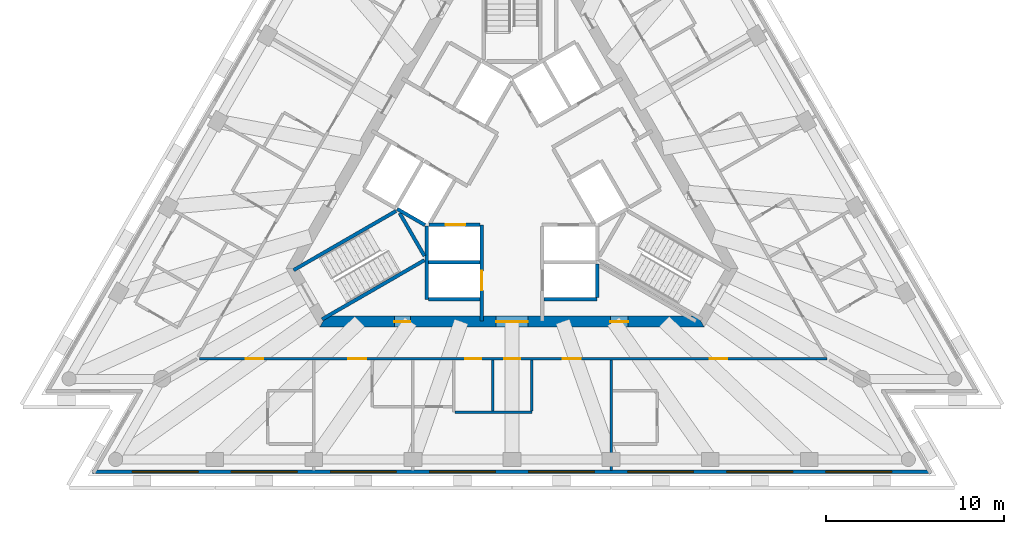
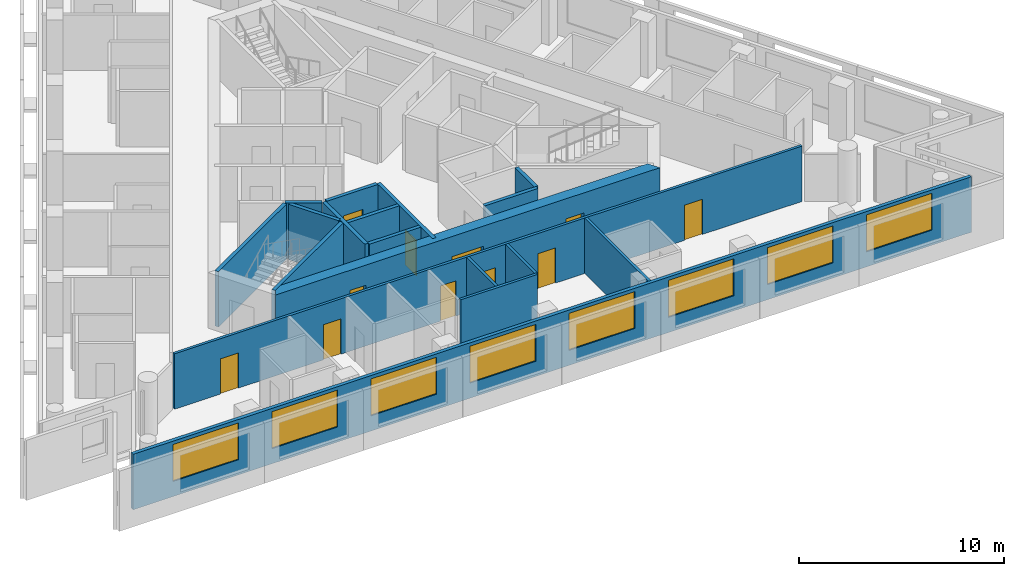
# One storey, part 3 of 10: 18 walls, 11 doors, 8 windows, 19 openings.
"""IFC4 building model written with IfcOpenShell, lengths in metres."""

from ifc_helpers import new_model, si_unit, direction, frame, frame_2d, origin, place, context, subcontext, project, spatial, polyline, rectangle, outline, extrude, material, layer, layer_set, layer_usage, type_object, element, fill, save


model = new_model("IFC4")

# Units and contexts
model_context = context("Model", 3, precision=1e-05, world=origin(), true_north=direction((0.0, 1.0)))
body_context = subcontext(model_context, "Body", "Model", "MODEL_VIEW")
ifc_project = project(units=[si_unit("LENGTHUNIT", "METRE"), si_unit("AREAUNIT", "SQUARE_METRE"), si_unit("VOLUMEUNIT", "CUBIC_METRE"), si_unit("PLANEANGLEUNIT", "RADIAN"), si_unit("MASSUNIT", "GRAM", prefix="KILO")], contexts=[model_context])

# Site, building, storey
site_placement = place(None, origin())
site = spatial("IfcSite", under=ifc_project, at=site_placement, CompositionType="ELEMENT")
building_placement = place(site_placement, origin())
building = spatial("IfcBuilding", under=site, at=building_placement, Name="Triada Interchange Tower", CompositionType="ELEMENT")
storey_placement = place(building_placement, frame((0.0, 0.0, 271.89990234375)))
storey = spatial("IfcBuildingStorey", under=building, at=storey_placement, Name="L63", CompositionType="ELEMENT", Elevation=271.89990234375)

# Walls
ifc_material_1 = material(Name="Concrete C30/37", Category="concrete")
ifc_layer_1 = layer(ifc_material_1, 0.199951171875)
ifc_layer_set_1 = layer_set([ifc_layer_1], Name="CORE WALL 200 EI 120")
wall_type_1 = type_object("IfcWallType", Name="CORE WALL 200 EI 120", PredefinedType="SOLIDWALL", material=ifc_layer_set_1)
wall_1_placement = place(storey_placement, frame((-4.800048828125, -6.89990234375, 0.0), z_axis=(0.0, 0.0, 1.0), x_axis=(0.0, 1.0, 0.0)))
element("IfcWall", 1, at=wall_1_placement, inside=storey, type_object=wall_type_1, Name="Wall L62 68", PredefinedType="SOLIDWALL", context=body_context, shape_type="SweptSolid", body=[
    extrude(rectangle(XDim=4.130859375, YDim=0.199951171875, at=frame_2d((2.0654296875, 0.0))), origin(), (0.0, 0.0, 1.0), 3.300048828125),
])
wall_2_placement = place(storey_placement, frame((-4.699951171875, -6.89990234375, 0.0), z_axis=(0.0, 0.0, 1.0), x_axis=(1.0, 0.0, 0.0)))
element("IfcWall", 2, at=wall_2_placement, inside=storey, type_object=wall_type_1, Name="Wall L62 69", PredefinedType="SOLIDWALL", context=body_context, shape_type="SweptSolid", body=[
    extrude(rectangle(XDim=2.89990234375, YDim=0.199951171875, at=frame_2d((1.449951171875, 0.0))), origin(), (0.0, 0.0, 1.0), 3.300048828125),
])
wall_3_placement = place(storey_placement, frame((1.800048828125, -6.89990234375, 0.0), z_axis=(0.0, 0.0, 1.0), x_axis=(1.0, 0.0, 0.0)))
element("IfcWall", 3, at=wall_3_placement, inside=storey, type_object=wall_type_1, Name="Wall L62 70", PredefinedType="SOLIDWALL", context=body_context, shape_type="SweptSolid", body=[
    extrude(rectangle(XDim=3.0, YDim=0.199951171875, at=frame_2d((1.5, 0.0))), origin(), (0.0, 0.0, 1.0), 3.300048828125),
])
wall_4_placement = place(storey_placement, frame((-4.699951171875, -4.800048828125, 0.0), z_axis=(0.0, 0.0, 1.0), x_axis=(1.0, 0.0, 0.0)))
element("IfcWall", 4, at=wall_4_placement, inside=storey, type_object=wall_type_1, Name="Wall L62 71", PredefinedType="SOLIDWALL", context=body_context, shape_type="SweptSolid", body=[
    extrude(rectangle(XDim=2.89990234375, YDim=0.199951171875, at=frame_2d((1.449951171875, 0.0))), origin(), (0.0, 0.0, 1.0), 3.300048828125),
])

# Wall, opening, door
wall_5_placement = place(storey_placement, frame((-1.699951171875, -8.1298828125, 0.0), z_axis=(0.0, 0.0, 1.0), x_axis=(0.0, 1.0, 0.0)))
wall_5 = element("IfcWall", 5, at=wall_5_placement, inside=storey, type_object=wall_type_1, Name="Wall L62 73", PredefinedType="SOLIDWALL", context=body_context, shape_type="SweptSolid", body=[
    extrude(rectangle(XDim=5.427001953125, YDim=0.199951171875, at=frame_2d((2.71337890625, 0.0))), origin(), (0.0, 0.0, 1.0), 3.300048828125),
])
opening_1_placement = place(wall_5_placement, frame((1.72998046875, 0.0, 0.0)))
opening_1 = element("IfcOpeningElement", 6, at=opening_1_placement, cuts=wall_5, Name="Opening LD-HR4", PredefinedType="OPENING", context=body_context, shape_type="SweptSolid", body=[
    extrude(rectangle(XDim=1.10009765625, YDim=2.10009765625, at=frame_2d((0.550048828125, 1.050048828125))), frame((0.0, 0.10986328125, 0.0), z_axis=(0.0, -1.0, 0.0), x_axis=(1.0, 0.0, 0.0)), (0.0, 0.0, 1.0), 0.219970703125),
])
ifc_material_2 = material(Name="Steel S235 door leaf", Category="steel")
door_type_1 = type_object("IfcDoorType", Name="LIFT LANDING DOOR 1100 EI 120", OperationType="SLIDING_TO_LEFT", PredefinedType="DOOR", material=ifc_material_2)
door_1_placement = place(opening_1_placement, origin())
door_1 = element("IfcDoor", 7, at=door_1_placement, inside=storey, type_object=door_type_1, Name="HR4 landing door L63", OperationType="SLIDING_TO_LEFT", OverallHeight=2.10009765625, OverallWidth=1.10009765625, PredefinedType="DOOR", context=body_context, shape_type="SweptSolid", body=[
    extrude(rectangle(XDim=1.10009765625, YDim=2.10009765625, at=frame_2d((0.550048828125, 1.050048828125))), frame((0.0, 0.02490234375, 0.0), z_axis=(0.0, -1.0, 0.0), x_axis=(1.0, 0.0, 0.0)), (0.0, 0.0, 1.0), 0.050048828125),
])
fill(opening_1, door_1)

wall_6_placement = place(storey_placement, frame((-4.676025390625, -2.699951171875, 0.0), z_axis=(0.0, 0.0, 1.0), x_axis=(1.0, 0.0, 0.0)))
wall_6 = element("IfcWall", 8, at=wall_6_placement, inside=storey, type_object=wall_type_1, Name="Wall L62 74", PredefinedType="SOLIDWALL", context=body_context, shape_type="SweptSolid", body=[
    extrude(rectangle(XDim=2.873046875, YDim=0.199951171875, at=frame_2d((1.4365234375, 0.0))), origin(), (0.0, 0.0, 1.0), 3.300048828125),
])
opening_2_placement = place(wall_6_placement, frame((0.93701171875, 0.0, 0.0)))
opening_2 = element("IfcOpeningElement", 9, at=opening_2_placement, cuts=wall_6, Name="Opening LD-HR3", PredefinedType="OPENING", context=body_context, shape_type="SweptSolid", body=[
    extrude(rectangle(XDim=1.10009765625, YDim=2.10009765625, at=frame_2d((0.550048828125, 1.050048828125))), frame((0.0, 0.10986328125, 0.0), z_axis=(0.0, -1.0, 0.0), x_axis=(1.0, 0.0, 0.0)), (0.0, 0.0, 1.0), 0.219970703125),
])
door_2_placement = place(opening_2_placement, origin())
door_2 = element("IfcDoor", 10, at=door_2_placement, inside=storey, type_object=door_type_1, Name="HR3 landing door L63", OperationType="SLIDING_TO_LEFT", OverallHeight=2.10009765625, OverallWidth=1.10009765625, PredefinedType="DOOR", context=body_context, shape_type="SweptSolid", body=[
    extrude(rectangle(XDim=1.10009765625, YDim=2.10009765625, at=frame_2d((0.550048828125, 1.050048828125))), frame((0.0, 0.02490234375, 0.0), z_axis=(0.0, -1.0, 0.0), x_axis=(1.0, 0.0, 0.0)), (0.0, 0.0, 1.0), 0.050048828125),
])
fill(opening_2, door_2)

# Walls
wall_7_placement = place(storey_placement, frame((4.800048828125, -6.800048828125, 0.0), z_axis=(0.0, 0.0, 1.0), x_axis=(0.0, 1.0, 0.0)))
element("IfcWall", 11, at=wall_7_placement, inside=storey, type_object=wall_type_1, Name="Wall L62 81", PredefinedType="SOLIDWALL", context=body_context, shape_type="SweptSolid", body=[
    extrude(rectangle(XDim=1.880126953125, YDim=0.199951171875, at=frame_2d((0.93994140625, 0.0))), origin(), (0.0, 0.0, 1.0), 3.300048828125),
])
ifc_layer_2 = layer(ifc_material_1, 0.199951171875)
ifc_layer_set_2 = layer_set([ifc_layer_2], Name="CORE WALL 200 EI 180")
wall_type_2 = type_object("IfcWallType", Name="CORE WALL 200 EI 180", PredefinedType="SOLIDWALL", material=ifc_layer_set_2)
wall_8_placement = place(storey_placement, frame((-6.469970703125, -1.806884765625, 0.0), z_axis=(0.0, 0.0, 1.0), x_axis=(0.865883195159, -0.500246231712, 0.0)))
element("IfcWall", 12, at=wall_8_placement, inside=storey, type_object=wall_type_2, Name="Shaft wall FF1 L62 100", PredefinedType="SOLIDWALL", context=body_context, shape_type="SweptSolid", body=[
    extrude(rectangle(XDim=1.8154296875, YDim=0.199951171875, at=frame_2d((0.90771484375, 0.0))), origin(), (0.0, 0.0, 1.0), 3.300048828125),
])
ifc_layer_3 = layer(ifc_material_1, 0.199951171875)
ifc_layer_set_3 = layer_set([ifc_layer_3], Name="CORE WALL 200 REI 240")
wall_type_3 = type_object("IfcWallType", Name="CORE WALL 200 REI 240", PredefinedType="SOLIDWALL", material=ifc_layer_set_3)
wall_9_placement = place(storey_placement, frame((-12.301025390625, -5.25390625, 0.0), z_axis=(0.0, 0.0, 1.0), x_axis=(0.866068467981, 0.499925403204, 0.0)))
element("IfcWall", 13, at=wall_9_placement, inside=storey, type_object=wall_type_3, Name="Wall L62 112", PredefinedType="SOLIDWALL", context=body_context, shape_type="SweptSolid", body=[
    extrude(rectangle(XDim=6.66455078125, YDim=0.199951171875, at=frame_2d((3.332275390625, 0.0))), origin(), (0.0, 0.0, 1.0), 3.300048828125),
])
wall_10_placement = place(storey_placement, frame((-6.3291015625, -2.0380859375, 0.0), z_axis=(0.0, 0.0, 1.0), x_axis=(0.500200581029, -0.865909567298, 0.0)))
element("IfcWall", 14, at=wall_10_placement, inside=storey, type_object=wall_type_3, Name="Wall L62 113", PredefinedType="SOLIDWALL", context=body_context, shape_type="SweptSolid", body=[
    extrude(rectangle(XDim=2.799072265625, YDim=0.199951171875, at=frame_2d((1.3994140625, 0.0))), origin(), (0.0, 0.0, 1.0), 3.300048828125),
])
wall_11_placement = place(storey_placement, frame((-10.700927734375, -8.02587890625, 0.0), z_axis=(0.0, 0.0, 1.0), x_axis=(0.866005022404, 0.500035299925, 0.0)))
element("IfcWall", 15, at=wall_11_placement, inside=storey, type_object=wall_type_3, Name="Wall L62 114", PredefinedType="SOLIDWALL", context=body_context, shape_type="SweptSolid", body=[
    extrude(rectangle(XDim=6.6650390625, YDim=0.199951171875, at=frame_2d((3.33251953125, 0.0))), origin(), (0.0, 0.0, 1.0), 3.300048828125),
])

# Wall, openings, doors
ifc_material_3 = material(Name="Concrete C40/50", Category="concrete")
ifc_layer_4 = layer(ifc_material_3, 0.60009765625)
ifc_layer_set_4 = layer_set([ifc_layer_4], Name="Core wall D 600")
wall_type_4 = type_object("IfcWallType", Name="Core wall D 600", PredefinedType="SHEAR", material=ifc_layer_set_4)
wall_12_placement = place(storey_placement, frame((-10.652099609375, -8.14990234375, -0.2998046875), z_axis=(0.0, 0.0, 1.0), x_axis=(1.0, 0.0, 0.0)))
wall_12 = element("IfcWall", 16, at=wall_12_placement, inside=storey, type_object=wall_type_4, Name="Core wall WD04 L63", PredefinedType="SHEAR", context=body_context, shape_type="SweptSolid", body=[
    extrude(outline(polyline([(-0.173095703125, -0.300048828125), (1.795166015625, -0.300048828125), (3.76318359375, -0.300048828125), (5.7314453125, -0.300048828125), (7.69970703125, -0.300048828125), (9.66796875, -0.300048828125), (11.635986328125, -0.300048828125), (13.604248046875, -0.300048828125), (15.572509765625, -0.300048828125), (17.540771484375, -0.300048828125), (19.5087890625, -0.300048828125), (21.47705078125, -0.300048828125), (21.131103515625, 0.300048828125), (19.225830078125, 0.300048828125), (17.320556640625, 0.300048828125), (15.415283203125, 0.300048828125), (13.510009765625, 0.300048828125), (11.604736328125, 0.300048828125), (9.699462890625, 0.300048828125), (7.794189453125, 0.300048828125), (5.888916015625, 0.300048828125), (3.983642578125, 0.300048828125), (2.078369140625, 0.300048828125), (0.173095703125, 0.300048828125), (-0.173095703125, -0.300048828125)])), origin(), (0.0, 0.0, 1.0), 3.599853515625),
])
opening_3_placement = place(wall_12_placement, frame((9.751953125, 0.0, 0.300048828125)))
opening_3 = element("IfcOpeningElement", 17, at=opening_3_placement, cuts=wall_12, Name="Opening D62-47", PredefinedType="OPENING", context=body_context, shape_type="SweptSolid", body=[
    extrude(rectangle(XDim=1.800048828125, YDim=2.10009765625, at=frame_2d((0.89990234375, 1.050048828125))), frame((0.0, 0.31005859375, 0.0), z_axis=(0.0, -1.0, 0.0), x_axis=(1.0, 0.0, 0.0)), (0.0, 0.0, 1.0), 0.6201171875),
])
opening_4_placement = place(wall_12_placement, frame((4.02587890625, 0.0, 0.300048828125)))
opening_4 = element("IfcOpeningElement", 18, at=opening_4_placement, cuts=wall_12, Name="Opening D62-53", PredefinedType="OPENING", context=body_context, shape_type="SweptSolid", body=[
    extrude(rectangle(XDim=0.89990234375, YDim=2.10009765625, at=frame_2d((0.449951171875, 1.050048828125))), frame((0.0, 0.31005859375, 0.0), z_axis=(0.0, -1.0, 0.0), x_axis=(1.0, 0.0, 0.0)), (0.0, 0.0, 1.0), 0.6201171875),
])
opening_5_placement = place(wall_12_placement, frame((16.197998046875, 0.0, 0.300048828125)))
opening_5 = element("IfcOpeningElement", 19, at=opening_5_placement, cuts=wall_12, Name="Opening D62-56", PredefinedType="OPENING", context=body_context, shape_type="SweptSolid", body=[
    extrude(rectangle(XDim=1.0, YDim=2.10009765625, at=frame_2d((0.5, 1.050048828125))), frame((0.0, 0.31005859375, 0.0), z_axis=(0.0, -1.0, 0.0), x_axis=(1.0, 0.0, 0.0)), (0.0, 0.0, 1.0), 0.6201171875),
])
door_type_2 = type_object("IfcDoorType", Name="LOBBY DOOR 1800 EI2 90-C5S200", OperationType="DOUBLE_DOOR_SINGLE_SWING", PredefinedType="DOOR", material=ifc_material_2)
door_3_placement = place(opening_3_placement, origin())
door_3 = element("IfcDoor", 20, at=door_3_placement, inside=storey, type_object=door_type_2, Name="Door D62-47 L63", OperationType="DOUBLE_DOOR_SINGLE_SWING", OverallHeight=2.10009765625, OverallWidth=1.800048828125, PredefinedType="DOOR", context=body_context, shape_type="SweptSolid", body=[
    extrude(rectangle(XDim=1.800048828125, YDim=2.10009765625, at=frame_2d((0.89990234375, 1.050048828125))), frame((0.0, 0.02490234375, 0.0), z_axis=(0.0, -1.0, 0.0), x_axis=(1.0, 0.0, 0.0)), (0.0, 0.0, 1.0), 0.050048828125),
])
fill(opening_3, door_3)
door_type_3 = type_object("IfcDoorType", Name="SERVICE DOOR 1000 EI2 45-C5S200", OperationType="NOTDEFINED", PredefinedType="DOOR", material=ifc_material_2)
door_4_placement = place(opening_5_placement, origin())
door_4 = element("IfcDoor", 21, at=door_4_placement, inside=storey, type_object=door_type_3, Name="Door D62-56 L63", OperationType="SINGLE_SWING_RIGHT", OverallHeight=2.10009765625, OverallWidth=1.0, PredefinedType="DOOR", context=body_context, shape_type="SweptSolid", body=[
    extrude(rectangle(XDim=1.0, YDim=2.10009765625, at=frame_2d((0.5, 1.050048828125))), frame((0.0, 0.02490234375, 0.0), z_axis=(0.0, -1.0, 0.0), x_axis=(1.0, 0.0, 0.0)), (0.0, 0.0, 1.0), 0.050048828125),
])
fill(opening_5, door_4)
door_type_4 = type_object("IfcDoorType", Name="SERVICE DOOR 900 EI2 45-C5S200", OperationType="NOTDEFINED", PredefinedType="DOOR", material=ifc_material_2)
door_5_placement = place(opening_4_placement, origin())
door_5 = element("IfcDoor", 22, at=door_5_placement, inside=storey, type_object=door_type_4, Name="Door D62-53 L63", OperationType="SINGLE_SWING_RIGHT", OverallHeight=2.10009765625, OverallWidth=0.89990234375, PredefinedType="DOOR", context=body_context, shape_type="SweptSolid", body=[
    extrude(rectangle(XDim=0.89990234375, YDim=2.10009765625, at=frame_2d((0.449951171875, 1.050048828125))), frame((0.0, 0.02490234375, 0.0), z_axis=(0.0, -1.0, 0.0), x_axis=(1.0, 0.0, 0.0)), (0.0, 0.0, 1.0), 0.050048828125),
])
fill(opening_4, door_5)

# Wall, openings, windows
ifc_material_4 = material(Name="Cement board")
ifc_layer_5 = layer(ifc_material_4, 0.02001953125, Name="Cement board cladding")
ifc_material_5 = material(Name="Sheathing board")
ifc_layer_6 = layer(ifc_material_5, 0.014892578125, Name="Sheathing board")
ifc_material_6 = material(Name="Mineral wool")
ifc_layer_7 = layer(ifc_material_6, 0.14990234375, Name="Mineral wool between steel studs")
ifc_material_7 = material(Name="Gypsum board")
ifc_layer_8 = layer(ifc_material_7, 0.014892578125, Name="Plasterboard lining")
ifc_layer_set_5 = layer_set([ifc_layer_5, ifc_layer_6, ifc_layer_7, ifc_layer_8], Name="External wall 200")
ifc_layer_usage = layer_usage(ifc_layer_set_5, "AXIS2", "POSITIVE", -0.10009765625)
wall_type_5 = type_object("IfcWallType", Name="External wall 200", PredefinedType="ELEMENTEDWALL", material=ifc_layer_set_5)
wall_13_placement = place(storey_placement, frame((-23.62890625, -16.616943359375, 0.0), z_axis=(0.0, 0.0, 1.0), x_axis=(1.0, 0.0, 0.0)))
wall_13 = element("IfcWall", 23, at=wall_13_placement, inside=storey, type_object=wall_type_5, material=ifc_layer_usage, Name="External wall L63 S", PredefinedType="ELEMENTEDWALL", context=body_context, shape_type="SweptSolid", body=[
    extrude(rectangle(XDim=47.23779296875, YDim=0.199951171875, at=frame_2d((23.618896484375, 0.0))), origin(), (0.0, 0.0, 1.0), 3.300048828125),
])
opening_6_placement = place(wall_13_placement, frame((2.243896484375, 0.0, 0.89990234375)))
opening_6 = element("IfcOpeningElement", 24, at=opening_6_placement, cuts=wall_13, Name="Opening WD11", PredefinedType="OPENING", context=body_context, shape_type="SweptSolid", body=[
    extrude(rectangle(XDim=3.699951171875, YDim=2.199951171875, at=frame_2d((1.85009765625, 1.10009765625))), frame((0.0, 0.10986328125, 0.0), z_axis=(0.0, -1.0, 0.0), x_axis=(1.0, 0.0, 0.0)), (0.0, 0.0, 1.0), 0.219970703125),
])
opening_7_placement = place(wall_13_placement, frame((7.824951171875, 0.0, 0.89990234375)))
opening_7 = element("IfcOpeningElement", 25, at=opening_7_placement, cuts=wall_13, Name="Opening WD12", PredefinedType="OPENING", context=body_context, shape_type="SweptSolid", body=[
    extrude(rectangle(XDim=3.699951171875, YDim=2.199951171875, at=frame_2d((1.85009765625, 1.10009765625))), frame((0.0, 0.10986328125, 0.0), z_axis=(0.0, -1.0, 0.0), x_axis=(1.0, 0.0, 0.0)), (0.0, 0.0, 1.0), 0.219970703125),
])
opening_8_placement = place(wall_13_placement, frame((13.406982421875, 0.0, 0.89990234375)))
opening_8 = element("IfcOpeningElement", 26, at=opening_8_placement, cuts=wall_13, Name="Opening WD13", PredefinedType="OPENING", context=body_context, shape_type="SweptSolid", body=[
    extrude(rectangle(XDim=3.699951171875, YDim=2.199951171875, at=frame_2d((1.85009765625, 1.10009765625))), frame((0.0, 0.10986328125, 0.0), z_axis=(0.0, -1.0, 0.0), x_axis=(1.0, 0.0, 0.0)), (0.0, 0.0, 1.0), 0.219970703125),
])
opening_9_placement = place(wall_13_placement, frame((18.988037109375, 0.0, 0.89990234375)))
opening_9 = element("IfcOpeningElement", 27, at=opening_9_placement, cuts=wall_13, Name="Opening WD14", PredefinedType="OPENING", context=body_context, shape_type="SweptSolid", body=[
    extrude(rectangle(XDim=3.699951171875, YDim=2.199951171875, at=frame_2d((1.85009765625, 1.10009765625))), frame((0.0, 0.10986328125, 0.0), z_axis=(0.0, -1.0, 0.0), x_axis=(1.0, 0.0, 0.0)), (0.0, 0.0, 1.0), 0.219970703125),
])
opening_10_placement = place(wall_13_placement, frame((24.570068359375, 0.0, 0.89990234375)))
opening_10 = element("IfcOpeningElement", 28, at=opening_10_placement, cuts=wall_13, Name="Opening WD15", PredefinedType="OPENING", context=body_context, shape_type="SweptSolid", body=[
    extrude(rectangle(XDim=3.699951171875, YDim=2.199951171875, at=frame_2d((1.85009765625, 1.10009765625))), frame((0.0, 0.10986328125, 0.0), z_axis=(0.0, -1.0, 0.0), x_axis=(1.0, 0.0, 0.0)), (0.0, 0.0, 1.0), 0.219970703125),
])
opening_11_placement = place(wall_13_placement, frame((30.15087890625, 0.0, 0.89990234375)))
opening_11 = element("IfcOpeningElement", 29, at=opening_11_placement, cuts=wall_13, Name="Opening WD16", PredefinedType="OPENING", context=body_context, shape_type="SweptSolid", body=[
    extrude(rectangle(XDim=3.699951171875, YDim=2.199951171875, at=frame_2d((1.85009765625, 1.10009765625))), frame((0.0, 0.10986328125, 0.0), z_axis=(0.0, -1.0, 0.0), x_axis=(1.0, 0.0, 0.0)), (0.0, 0.0, 1.0), 0.219970703125),
])
opening_12_placement = place(wall_13_placement, frame((35.73291015625, 0.0, 0.89990234375)))
opening_12 = element("IfcOpeningElement", 30, at=opening_12_placement, cuts=wall_13, Name="Opening WD17", PredefinedType="OPENING", context=body_context, shape_type="SweptSolid", body=[
    extrude(rectangle(XDim=3.699951171875, YDim=2.199951171875, at=frame_2d((1.85009765625, 1.10009765625))), frame((0.0, 0.10986328125, 0.0), z_axis=(0.0, -1.0, 0.0), x_axis=(1.0, 0.0, 0.0)), (0.0, 0.0, 1.0), 0.219970703125),
])
opening_13_placement = place(wall_13_placement, frame((41.31396484375, 0.0, 0.89990234375)))
opening_13 = element("IfcOpeningElement", 31, at=opening_13_placement, cuts=wall_13, Name="Opening WD18", PredefinedType="OPENING", context=body_context, shape_type="SweptSolid", body=[
    extrude(rectangle(XDim=3.699951171875, YDim=2.199951171875, at=frame_2d((1.85009765625, 1.10009765625))), frame((0.0, 0.10986328125, 0.0), z_axis=(0.0, -1.0, 0.0), x_axis=(1.0, 0.0, 0.0)), (0.0, 0.0, 1.0), 0.219970703125),
])
ifc_material_8 = material(Name="Double glazed aluminium window", Category="aluminium")
window_type = type_object("IfcWindowType", Name="Ribbon window D face", PartitioningType="SINGLE_PANEL", PredefinedType="WINDOW", material=ifc_material_8)
window_1_placement = place(opening_6_placement, origin())
window_1 = element("IfcWindow", 32, at=window_1_placement, inside=storey, type_object=window_type, Name="Window L63 S 1", OverallHeight=2.199951171875, OverallWidth=3.699951171875, PartitioningType="SINGLE_PANEL", PredefinedType="WINDOW", context=body_context, shape_type="SweptSolid", body=[
    extrude(rectangle(XDim=3.699951171875, YDim=2.199951171875, at=frame_2d((1.85009765625, 1.10009765625))), frame((0.0, 0.030029296875, 0.0), z_axis=(0.0, -1.0, 0.0), x_axis=(1.0, 0.0, 0.0)), (0.0, 0.0, 1.0), 0.06005859375),
])
fill(opening_6, window_1)
window_2_placement = place(opening_7_placement, origin())
window_2 = element("IfcWindow", 33, at=window_2_placement, inside=storey, type_object=window_type, Name="Window L63 S 2", OverallHeight=2.199951171875, OverallWidth=3.699951171875, PartitioningType="SINGLE_PANEL", PredefinedType="WINDOW", context=body_context, shape_type="SweptSolid", body=[
    extrude(rectangle(XDim=3.699951171875, YDim=2.199951171875, at=frame_2d((1.85009765625, 1.10009765625))), frame((0.0, 0.030029296875, 0.0), z_axis=(0.0, -1.0, 0.0), x_axis=(1.0, 0.0, 0.0)), (0.0, 0.0, 1.0), 0.06005859375),
])
fill(opening_7, window_2)
window_3_placement = place(opening_8_placement, origin())
window_3 = element("IfcWindow", 34, at=window_3_placement, inside=storey, type_object=window_type, Name="Window L63 S 3", OverallHeight=2.199951171875, OverallWidth=3.699951171875, PartitioningType="SINGLE_PANEL", PredefinedType="WINDOW", context=body_context, shape_type="SweptSolid", body=[
    extrude(rectangle(XDim=3.699951171875, YDim=2.199951171875, at=frame_2d((1.85009765625, 1.10009765625))), frame((0.0, 0.030029296875, 0.0), z_axis=(0.0, -1.0, 0.0), x_axis=(1.0, 0.0, 0.0)), (0.0, 0.0, 1.0), 0.06005859375),
])
fill(opening_8, window_3)
window_4_placement = place(opening_9_placement, origin())
window_4 = element("IfcWindow", 35, at=window_4_placement, inside=storey, type_object=window_type, Name="Window L63 S 4", OverallHeight=2.199951171875, OverallWidth=3.699951171875, PartitioningType="SINGLE_PANEL", PredefinedType="WINDOW", context=body_context, shape_type="SweptSolid", body=[
    extrude(rectangle(XDim=3.699951171875, YDim=2.199951171875, at=frame_2d((1.85009765625, 1.10009765625))), frame((0.0, 0.030029296875, 0.0), z_axis=(0.0, -1.0, 0.0), x_axis=(1.0, 0.0, 0.0)), (0.0, 0.0, 1.0), 0.06005859375),
])
fill(opening_9, window_4)
window_5_placement = place(opening_10_placement, origin())
window_5 = element("IfcWindow", 36, at=window_5_placement, inside=storey, type_object=window_type, Name="Window L63 S 5", OverallHeight=2.199951171875, OverallWidth=3.699951171875, PartitioningType="SINGLE_PANEL", PredefinedType="WINDOW", context=body_context, shape_type="SweptSolid", body=[
    extrude(rectangle(XDim=3.699951171875, YDim=2.199951171875, at=frame_2d((1.85009765625, 1.10009765625))), frame((0.0, 0.030029296875, 0.0), z_axis=(0.0, -1.0, 0.0), x_axis=(1.0, 0.0, 0.0)), (0.0, 0.0, 1.0), 0.06005859375),
])
fill(opening_10, window_5)
window_6_placement = place(opening_11_placement, origin())
window_6 = element("IfcWindow", 37, at=window_6_placement, inside=storey, type_object=window_type, Name="Window L63 S 6", OverallHeight=2.199951171875, OverallWidth=3.699951171875, PartitioningType="SINGLE_PANEL", PredefinedType="WINDOW", context=body_context, shape_type="SweptSolid", body=[
    extrude(rectangle(XDim=3.699951171875, YDim=2.199951171875, at=frame_2d((1.85009765625, 1.10009765625))), frame((0.0, 0.030029296875, 0.0), z_axis=(0.0, -1.0, 0.0), x_axis=(1.0, 0.0, 0.0)), (0.0, 0.0, 1.0), 0.06005859375),
])
fill(opening_11, window_6)
window_7_placement = place(opening_12_placement, origin())
window_7 = element("IfcWindow", 38, at=window_7_placement, inside=storey, type_object=window_type, Name="Window L63 S 7", OverallHeight=2.199951171875, OverallWidth=3.699951171875, PartitioningType="SINGLE_PANEL", PredefinedType="WINDOW", context=body_context, shape_type="SweptSolid", body=[
    extrude(rectangle(XDim=3.699951171875, YDim=2.199951171875, at=frame_2d((1.85009765625, 1.10009765625))), frame((0.0, 0.030029296875, 0.0), z_axis=(0.0, -1.0, 0.0), x_axis=(1.0, 0.0, 0.0)), (0.0, 0.0, 1.0), 0.06005859375),
])
fill(opening_12, window_7)
window_8_placement = place(opening_13_placement, origin())
window_8 = element("IfcWindow", 39, at=window_8_placement, inside=storey, type_object=window_type, Name="Window L63 S 8", OverallHeight=2.199951171875, OverallWidth=3.699951171875, PartitioningType="SINGLE_PANEL", PredefinedType="WINDOW", context=body_context, shape_type="SweptSolid", body=[
    extrude(rectangle(XDim=3.699951171875, YDim=2.199951171875, at=frame_2d((1.85009765625, 1.10009765625))), frame((0.0, 0.030029296875, 0.0), z_axis=(0.0, -1.0, 0.0), x_axis=(1.0, 0.0, 0.0)), (0.0, 0.0, 1.0), 0.06005859375),
])
fill(opening_13, window_8)

# Wall, openings, doors
ifc_material_9 = material(Name="Gypsum board partition")
ifc_layer_9 = layer(ifc_material_9, 0.14990234375)
ifc_layer_set_6 = layer_set([ifc_layer_9], Name="PARTITION 150 EI 180")
wall_type_6 = type_object("IfcWallType", Name="PARTITION 150 EI 180", PredefinedType="PARTITIONING", material=ifc_layer_set_6)
wall_14_placement = place(storey_placement, frame((-17.60400390625, -10.25, 0.0), z_axis=(0.0, 0.0, 1.0), x_axis=(1.0, 0.0, 0.0)))
wall_14 = element("IfcWall", 40, at=wall_14_placement, inside=storey, type_object=wall_type_6, Name="Wall L62 5", PredefinedType="PARTITIONING", context=body_context, shape_type="SweptSolid", body=[
    extrude(rectangle(XDim=35.35791015625, YDim=0.14990234375, at=frame_2d((17.678955078125, 0.0))), origin(), (0.0, 0.0, 1.0), 3.300048828125),
])
opening_14_placement = place(wall_14_placement, frame((2.60009765625, 0.0, 0.0)))
opening_14 = element("IfcOpeningElement", 41, at=opening_14_placement, cuts=wall_14, Name="Opening D62-11", PredefinedType="OPENING", context=body_context, shape_type="SweptSolid", body=[
    extrude(rectangle(XDim=1.0, YDim=2.10009765625, at=frame_2d((0.5, 1.050048828125))), frame((0.0, 0.0849609375, 0.0), z_axis=(0.0, -1.0, 0.0), x_axis=(1.0, 0.0, 0.0)), (0.0, 0.0, 1.0), 0.169921875),
])
opening_15_placement = place(wall_14_placement, frame((8.39111328125, 0.0, 0.0)))
opening_15 = element("IfcOpeningElement", 42, at=opening_15_placement, cuts=wall_14, Name="Opening D62-13", PredefinedType="OPENING", context=body_context, shape_type="SweptSolid", body=[
    extrude(rectangle(XDim=1.0, YDim=2.10009765625, at=frame_2d((0.5, 1.050048828125))), frame((0.0, 0.0849609375, 0.0), z_axis=(0.0, -1.0, 0.0), x_axis=(1.0, 0.0, 0.0)), (0.0, 0.0, 1.0), 0.169921875),
])
opening_16_placement = place(wall_14_placement, frame((20.472900390625, 0.0, 0.0)))
opening_16 = element("IfcOpeningElement", 43, at=opening_16_placement, cuts=wall_14, Name="Opening D62-15", PredefinedType="OPENING", context=body_context, shape_type="SweptSolid", body=[
    extrude(rectangle(XDim=1.0, YDim=2.10009765625, at=frame_2d((0.5, 1.050048828125))), frame((0.0, 0.0849609375, 0.0), z_axis=(0.0, -1.0, 0.0), x_axis=(1.0, 0.0, 0.0)), (0.0, 0.0, 1.0), 0.169921875),
])
opening_17_placement = place(wall_14_placement, frame((14.972900390625, 0.0, 0.0)))
opening_17 = element("IfcOpeningElement", 44, at=opening_17_placement, cuts=wall_14, Name="Opening D62-17", PredefinedType="OPENING", context=body_context, shape_type="SweptSolid", body=[
    extrude(rectangle(XDim=0.89990234375, YDim=2.10009765625, at=frame_2d((0.449951171875, 1.050048828125))), frame((0.0, 0.0849609375, 0.0), z_axis=(0.0, -1.0, 0.0), x_axis=(1.0, 0.0, 0.0)), (0.0, 0.0, 1.0), 0.169921875),
])
opening_18_placement = place(wall_14_placement, frame((17.173095703125, 0.0, 0.0)))
opening_18 = element("IfcOpeningElement", 45, at=opening_18_placement, cuts=wall_14, Name="Opening D62-18", PredefinedType="OPENING", context=body_context, shape_type="SweptSolid", body=[
    extrude(rectangle(XDim=0.89990234375, YDim=2.10009765625, at=frame_2d((0.449951171875, 1.050048828125))), frame((0.0, 0.0849609375, 0.0), z_axis=(0.0, -1.0, 0.0), x_axis=(1.0, 0.0, 0.0)), (0.0, 0.0, 1.0), 0.169921875),
])
opening_19_placement = place(wall_14_placement, frame((28.735107421875, 0.0, 0.0)))
opening_19 = element("IfcOpeningElement", 46, at=opening_19_placement, cuts=wall_14, Name="Opening D62-19", PredefinedType="OPENING", context=body_context, shape_type="SweptSolid", body=[
    extrude(rectangle(XDim=1.0, YDim=2.10009765625, at=frame_2d((0.5, 1.050048828125))), frame((0.0, 0.0849609375, 0.0), z_axis=(0.0, -1.0, 0.0), x_axis=(1.0, 0.0, 0.0)), (0.0, 0.0, 1.0), 0.169921875),
])
door_type_5 = type_object("IfcDoorType", Name="GUEST ROOM DOOR 1000 EI2 90-C5S200", OperationType="NOTDEFINED", PredefinedType="DOOR", material=ifc_material_2)
door_6_placement = place(opening_14_placement, origin())
door_6 = element("IfcDoor", 47, at=door_6_placement, inside=storey, type_object=door_type_5, Name="Door D62-11 L63", OperationType="SINGLE_SWING_RIGHT", OverallHeight=2.10009765625, OverallWidth=1.0, PredefinedType="DOOR", context=body_context, shape_type="SweptSolid", body=[
    extrude(rectangle(XDim=1.0, YDim=2.10009765625, at=frame_2d((0.5, 1.050048828125))), frame((0.0, 0.02490234375, 0.0), z_axis=(0.0, -1.0, 0.0), x_axis=(1.0, 0.0, 0.0)), (0.0, 0.0, 1.0), 0.050048828125),
])
fill(opening_14, door_6)
door_7_placement = place(opening_15_placement, origin())
door_7 = element("IfcDoor", 48, at=door_7_placement, inside=storey, type_object=door_type_5, Name="Door D62-13 L63", OperationType="SINGLE_SWING_RIGHT", OverallHeight=2.10009765625, OverallWidth=1.0, PredefinedType="DOOR", context=body_context, shape_type="SweptSolid", body=[
    extrude(rectangle(XDim=1.0, YDim=2.10009765625, at=frame_2d((0.5, 1.050048828125))), frame((0.0, 0.02490234375, 0.0), z_axis=(0.0, -1.0, 0.0), x_axis=(1.0, 0.0, 0.0)), (0.0, 0.0, 1.0), 0.050048828125),
])
fill(opening_15, door_7)
door_8_placement = place(opening_16_placement, origin())
door_8 = element("IfcDoor", 49, at=door_8_placement, inside=storey, type_object=door_type_5, Name="Door D62-15 L63", OperationType="SINGLE_SWING_RIGHT", OverallHeight=2.10009765625, OverallWidth=1.0, PredefinedType="DOOR", context=body_context, shape_type="SweptSolid", body=[
    extrude(rectangle(XDim=1.0, YDim=2.10009765625, at=frame_2d((0.5, 1.050048828125))), frame((0.0, 0.02490234375, 0.0), z_axis=(0.0, -1.0, 0.0), x_axis=(1.0, 0.0, 0.0)), (0.0, 0.0, 1.0), 0.050048828125),
])
fill(opening_16, door_8)
door_9_placement = place(opening_19_placement, origin())
door_9 = element("IfcDoor", 50, at=door_9_placement, inside=storey, type_object=door_type_5, Name="Door D62-19 L63", OperationType="SINGLE_SWING_LEFT", OverallHeight=2.10009765625, OverallWidth=1.0, PredefinedType="DOOR", context=body_context, shape_type="SweptSolid", body=[
    extrude(rectangle(XDim=1.0, YDim=2.10009765625, at=frame_2d((0.5, 1.050048828125))), frame((0.0, 0.02490234375, 0.0), z_axis=(0.0, -1.0, 0.0), x_axis=(1.0, 0.0, 0.0)), (0.0, 0.0, 1.0), 0.050048828125),
])
fill(opening_19, door_9)
door_type_6 = type_object("IfcDoorType", Name="ROOM DOOR 900 EI2 90-C5S200", OperationType="NOTDEFINED", PredefinedType="DOOR", material=ifc_material_2)
door_10_placement = place(opening_18_placement, origin())
door_10 = element("IfcDoor", 51, at=door_10_placement, inside=storey, type_object=door_type_6, Name="Door D62-18 L63", OperationType="SINGLE_SWING_RIGHT", OverallHeight=2.10009765625, OverallWidth=0.89990234375, PredefinedType="DOOR", context=body_context, shape_type="SweptSolid", body=[
    extrude(rectangle(XDim=0.89990234375, YDim=2.10009765625, at=frame_2d((0.449951171875, 1.050048828125))), frame((0.0, 0.02490234375, 0.0), z_axis=(0.0, -1.0, 0.0), x_axis=(1.0, 0.0, 0.0)), (0.0, 0.0, 1.0), 0.050048828125),
])
fill(opening_18, door_10)
door_type_7 = type_object("IfcDoorType", Name="SERVICE DOOR 900 EI2 90-C5S200", OperationType="NOTDEFINED", PredefinedType="DOOR", material=ifc_material_2)
door_11_placement = place(opening_17_placement, origin())
door_11 = element("IfcDoor", 52, at=door_11_placement, inside=storey, type_object=door_type_7, Name="Door D62-17 L63", OperationType="SINGLE_SWING_RIGHT", OverallHeight=2.10009765625, OverallWidth=0.89990234375, PredefinedType="DOOR", context=body_context, shape_type="SweptSolid", body=[
    extrude(rectangle(XDim=0.89990234375, YDim=2.10009765625, at=frame_2d((0.449951171875, 1.050048828125))), frame((0.0, 0.02490234375, 0.0), z_axis=(0.0, -1.0, 0.0), x_axis=(1.0, 0.0, 0.0)), (0.0, 0.0, 1.0), 0.050048828125),
])
fill(opening_17, door_11)

# Walls
wall_15_placement = place(storey_placement, frame((-3.2060546875, -13.25, 0.0), z_axis=(0.0, 0.0, 1.0), x_axis=(1.0, 0.0, 0.0)))
element("IfcWall", 53, at=wall_15_placement, inside=storey, type_object=wall_type_6, Name="Wall L62 18", PredefinedType="PARTITIONING", context=body_context, shape_type="SweptSolid", body=[
    extrude(rectangle(XDim=4.324951171875, YDim=0.14990234375, at=frame_2d((2.16259765625, 0.0))), origin(), (0.0, 0.0, 1.0), 3.300048828125),
])
for number, where, z_axis, x_axis, name in (
    (54, (1.118896484375, -13.175048828125, 0.0), (0.0, 0.0, 1.0), (0.0, 1.0, 0.0), "Wall L62 19"),
    (55, (-1.0810546875, -13.175048828125, 0.0), (0.0, 0.0, 1.0), (0.0, 1.0, 0.0), "Wall L62 20"),
):
    element("IfcWall", number, at=place(storey_placement, frame(where, z_axis=z_axis, x_axis=x_axis)), inside=storey, type_object=wall_type_6, Name=name, PredefinedType="PARTITIONING", context=body_context, shape_type="SweptSolid", body=[
        extrude(rectangle(XDim=2.85009765625, YDim=0.14990234375, at=frame_2d((1.425048828125, 0.0))), origin(), (0.0, 0.0, 1.0), 3.300048828125),
    ])
wall_16_placement = place(storey_placement, frame((5.5810546875, -16.537109375, 0.0), z_axis=(0.0, 0.0, 1.0), x_axis=(0.0, 1.0, 0.0)))
element("IfcWall", 56, at=wall_16_placement, inside=storey, type_object=wall_type_6, Name="Wall L62 26", PredefinedType="PARTITIONING", context=body_context, shape_type="SweptSolid", body=[
    extrude(rectangle(XDim=6.212158203125, YDim=0.14990234375, at=frame_2d((3.10595703125, 0.0))), origin(), (0.0, 0.0, 1.0), 3.300048828125),
])

save(model, "model.ifc")
